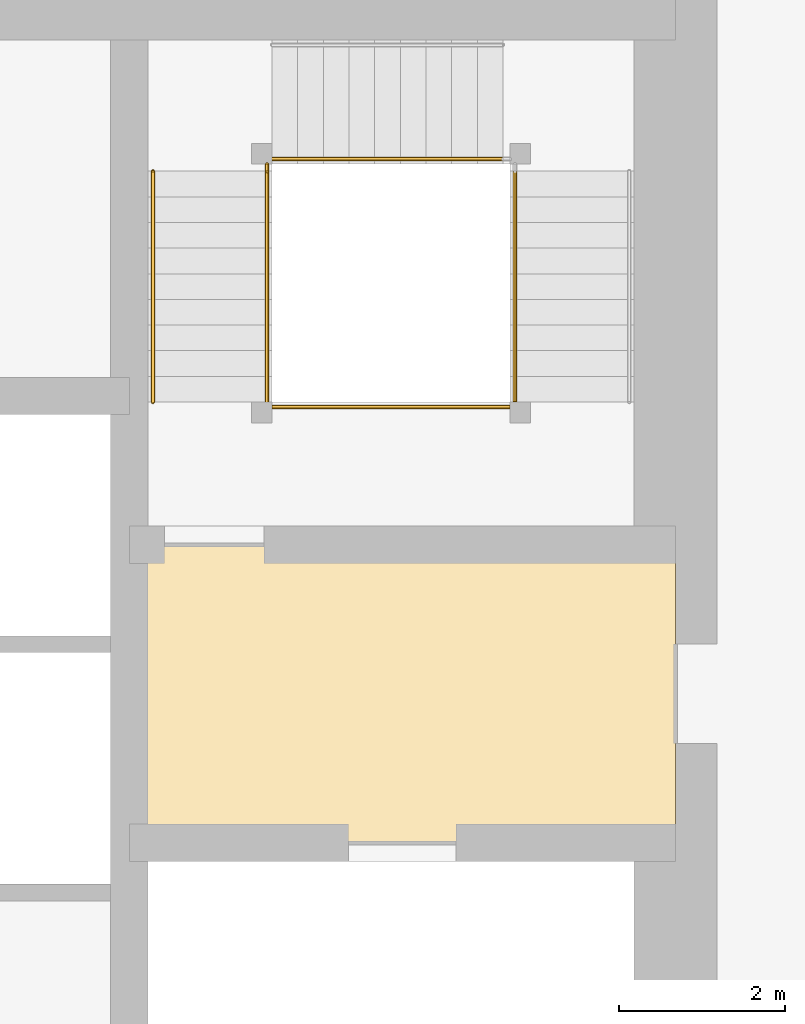
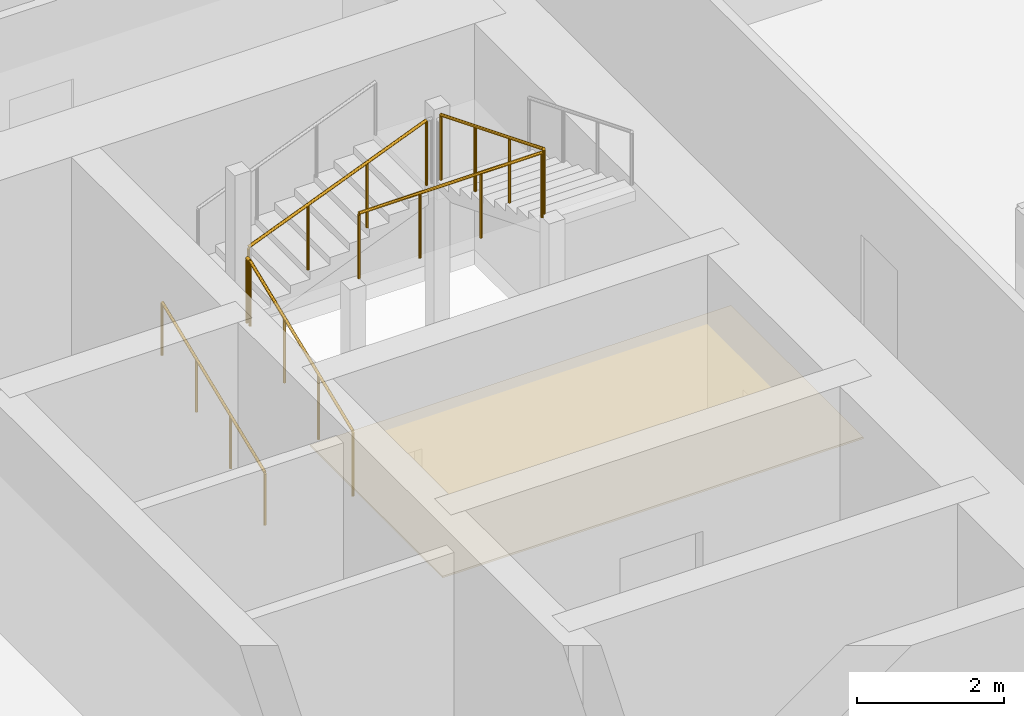
# One storey, part 36 of 39: 6 railings, 1 covering.
"""IFC4 building model written with IfcOpenShell, lengths in metres."""

import ifcopenshell
import ifcopenshell.guid

model = None  # the IFC model being written
_history = None  # IfcOwnerHistory: only IFC2X3 demands one
_inside = {}  # id of a spatial element -> (the spatial element, [elements in it])
_under = {}  # id of a project, library or spatial element -> (it, [spatial elements below it])
_declared = {}  # id of a project -> (the project, [libraries it declares])
_typed = {}  # id of a type object -> (the type object, [elements of that type])
_made_of = {}  # id of a material, layer set ... -> (it, [elements and type objects made of it])


def new_model(schema):
    """Start an empty IFC model of exactly this schema.

    Asked for "IFC4X3", IfcOpenShell would pick the latest addendum, in which some entities
    have other attributes; the version numbers below select the first issue.
    IFC2X3 requires an IfcOwnerHistory on every rooted entity: one is made here for all.
    """
    global model, _history
    if schema == "IFC4X3":
        model = ifcopenshell.file(schema_version=(4, 3, 0, 0))
    else:
        model = ifcopenshell.file(schema=schema)
    _inside.clear()
    _under.clear()
    _declared.clear()
    _typed.clear()
    _made_of.clear()
    _history = None
    if model.schema == "IFC2X3":
        org = make("IfcOrganization", Name="unknown")
        user = make(
            "IfcPersonAndOrganization",
            ThePerson=make("IfcPerson", FamilyName="unknown"),
            TheOrganization=org,
        )
        app = make(
            "IfcApplication",
            ApplicationDeveloper=org,
            Version="unknown",
            ApplicationFullName="unknown",
            ApplicationIdentifier="unknown",
        )
        _history = make(
            "IfcOwnerHistory",
            OwningUser=user,
            OwningApplication=app,
            ChangeAction="ADDED",
            CreationDate=0,
        )
    return model


def make(cls, **values):
    """One entity of the class cls with the attributes given. An attribute that is None is left unset."""
    return model.create_entity(
        cls, **{name: value for name, value in values.items() if value is not None}
    )


def rooted(cls, **values):
    """An entity with a GlobalId (a new one), such as an element, a storey or a relation."""
    return make(cls, GlobalId=ifcopenshell.guid.new(), OwnerHistory=_history, **values)


def si_unit(unit_type, name, prefix=None):
    """IfcSIUnit, for example si_unit("LENGTHUNIT", "METRE", prefix="MILLI")."""
    return make("IfcSIUnit", UnitType=unit_type, Prefix=prefix, Name=name)


def assignment(units):
    """IfcUnitAssignment: the units of a project."""
    return None if units is None else make("IfcUnitAssignment", Units=units)


def point(xyz):
    """IfcCartesianPoint."""
    return None if xyz is None else make("IfcCartesianPoint", Coordinates=xyz)


def direction(xyz):
    """IfcDirection."""
    return None if xyz is None else make("IfcDirection", DirectionRatios=xyz)


def frame(location, z_axis=None, x_axis=None):
    """IfcAxis2Placement3D, a coordinate frame: its origin and axes. An axis left out is left unset."""
    return make(
        "IfcAxis2Placement3D",
        Location=point(location),
        Axis=direction(z_axis),
        RefDirection=direction(x_axis),
    )


def frame_2d(location, x_axis=None):
    """IfcAxis2Placement2D, a coordinate frame in the plane: its origin and x axis."""
    return make(
        "IfcAxis2Placement2D", Location=point(location), RefDirection=direction(x_axis)
    )


def origin():
    """The frame at (0, 0, 0) with its axes left unset."""
    return frame((0.0, 0.0, 0.0))


def origin_2d():
    """The frame at (0, 0) in the plane with its x axis left unset."""
    return frame_2d((0.0, 0.0))


def place(relative_to, where):
    """IfcLocalPlacement: puts the frame where relative to a parent placement (None: the world)."""
    return make(
        "IfcLocalPlacement", PlacementRelTo=relative_to, RelativePlacement=where
    )


def context(
    kind, dimensions, precision=None, world=None, true_north=None, identifier=None
):
    """IfcGeometricRepresentationContext, for example the 3D "Model" context."""
    return make(
        "IfcGeometricRepresentationContext",
        ContextIdentifier=identifier,
        ContextType=kind,
        CoordinateSpaceDimension=dimensions,
        Precision=precision,
        WorldCoordinateSystem=world,
        TrueNorth=true_north,
    )


def subcontext(parent, identifier, kind, view, scale=None):
    """IfcGeometricRepresentationSubContext, for example "Body" below "Model"."""
    return make(
        "IfcGeometricRepresentationSubContext",
        ContextIdentifier=identifier,
        ContextType=kind,
        ParentContext=parent,
        TargetScale=scale,
        TargetView=view,
    )


def project(units=None, contexts=None):
    """IfcProject with its units and contexts."""
    return rooted(
        "IfcProject",
        Name="project",
        RepresentationContexts=contexts,
        UnitsInContext=assignment(units),
    )


def spatial(cls, under=None, at=None, **own):
    """A site, building, storey or space (cls), placed at a placement, below another one or the project."""
    s = rooted(cls, ObjectPlacement=at, **own)
    if under is not None:
        _under.setdefault(under.id(), (under, []))[1].append(s)
    return s


def polyline(points):
    """IfcPolyline through the points."""
    return make("IfcPolyline", Points=[point(p) for p in points])


def profile(cls, at=None, kind="AREA", **sizes):
    """A parametric profile (cls). Its sizes go by their IFC names, for example OverallWidth=200.0."""
    return make(cls, ProfileType=kind, Position=at, **sizes)


def circle(**sizes):
    """IfcCircleProfileDef."""
    return profile("IfcCircleProfileDef", **sizes)


def outline(outer, holes=None, kind="AREA"):
    """IfcArbitraryClosedProfileDef: a profile drawn as a closed curve; with holes, ...WithVoids."""
    if holes is None:
        return make("IfcArbitraryClosedProfileDef", ProfileType=kind, OuterCurve=outer)
    return make(
        "IfcArbitraryProfileDefWithVoids",
        ProfileType=kind,
        OuterCurve=outer,
        InnerCurves=holes,
    )


def extrude(swept, where, along, depth):
    """IfcExtrudedAreaSolid: the profile swept, set in the frame where, extruded along a direction by depth."""
    return make(
        "IfcExtrudedAreaSolid",
        SweptArea=swept,
        Position=where,
        ExtrudedDirection=direction(along),
        Depth=depth,
    )


def shape(context_of_items, identifier, shape_type, items):
    """IfcShapeRepresentation: the items that make up one representation, for example the "Body"."""
    return make(
        "IfcShapeRepresentation",
        ContextOfItems=context_of_items,
        RepresentationIdentifier=identifier,
        RepresentationType=shape_type,
        Items=items,
    )


def material(Name=None, Category=None):
    """IfcMaterial."""
    return make("IfcMaterial", Name=Name, Category=Category)


def layer(
    of_material, thickness, ventilated=None, Name=None, Category=None, Priority=None
):
    """IfcMaterialLayer: one layer of a wall or slab, of a material (None: an air gap)."""
    return make(
        "IfcMaterialLayer",
        Material=of_material,
        LayerThickness=thickness,
        IsVentilated=ventilated,
        Name=Name,
        Category=Category,
        Priority=Priority,
    )


def layer_set(layers, Name=None):
    """IfcMaterialLayerSet."""
    return make("IfcMaterialLayerSet", MaterialLayers=layers, LayerSetName=Name)


def made_of(thing, what):
    """Note that an element or type object is made of a material, layer set ...; save() writes the relation."""
    if what is not None:
        _made_of.setdefault(what.id(), (what, []))[1].append(thing)
    return thing


def type_object(cls, material=None, **own):
    """A type object (cls), such as IfcWallType, which elements share."""
    return made_of(rooted(cls, **own), material)


def element(
    cls,
    number,
    at=None,
    inside=None,
    cuts=None,
    type_object=None,
    material=None,
    context=None,
    identifier="Body",
    shape_type=None,
    held_by="IfcProductDefinitionShape",
    body=None,
    shapes=None,
    **own,
):
    """One element of the class cls, such as IfcWall. Its Tag is "e" and its number.

    at: its placement. inside: the storey or other place that contains it. cuts: it is an
    opening in that element (IfcRelVoidsElement). A single representation is given by context,
    identifier, shape_type and body (its items); several are given by shapes. held_by: the class
    of the entity that holds the representations. save() writes the other relations.
    """
    e = rooted(cls, Tag="e%d" % number, ObjectPlacement=at, **own)
    if body is not None:
        shapes = [shape(context, identifier, shape_type, body)]
    if shapes is not None:
        e.Representation = make(held_by, Representations=shapes)
    if inside is not None:
        _inside.setdefault(inside.id(), (inside, []))[1].append(e)
    if cuts is not None:
        rooted(
            "IfcRelVoidsElement", RelatingBuildingElement=cuts, RelatedOpeningElement=e
        )
    if type_object is not None:
        _typed.setdefault(type_object.id(), (type_object, []))[1].append(e)
    return made_of(e, material)


def aggregate(whole, parts):
    """IfcRelAggregates: a whole, such as a stair, and the parts it consists of."""
    return rooted("IfcRelAggregates", RelatingObject=whole, RelatedObjects=parts)


def save(model, path):
    """Write the relations noted so far, then the file.

    IfcRelAggregates (storeys below a building ...), IfcRelContainedInSpatialStructure (elements
    in a storey), IfcRelDefinesByType, IfcRelAssociatesMaterial and IfcRelDeclares: one each for
    every whole, place, type object, material and project.
    """
    for whole, parts in _under.values():
        aggregate(whole, parts)
    for where, things in _inside.values():
        rooted(
            "IfcRelContainedInSpatialStructure",
            RelatedElements=things,
            RelatingStructure=where,
        )
    for kind, things in _typed.values():
        rooted("IfcRelDefinesByType", RelatedObjects=things, RelatingType=kind)
    for what, things in _made_of.values():
        rooted("IfcRelAssociatesMaterial", RelatedObjects=things, RelatingMaterial=what)
    for by, libraries in _declared.values():
        rooted("IfcRelDeclares", RelatingContext=by, RelatedDefinitions=libraries)
    model.write(path)


model = new_model("IFC4")

# Units and contexts
model_context = context("Model", 3, precision=1e-05, world=origin(), true_north=direction((0.0, 1.0)))
body_context = subcontext(model_context, "Body", "Model", "MODEL_VIEW")
ifc_project = project(units=[si_unit("LENGTHUNIT", "METRE"), si_unit("AREAUNIT", "SQUARE_METRE"), si_unit("VOLUMEUNIT", "CUBIC_METRE"), si_unit("PLANEANGLEUNIT", "RADIAN"), si_unit("MASSUNIT", "GRAM", prefix="KILO")], contexts=[model_context])

# Site, building, storey
site_placement = place(None, origin())
site = spatial("IfcSite", under=ifc_project, at=site_placement, CompositionType="ELEMENT")
building_placement = place(site_placement, origin())
building = spatial("IfcBuilding", under=site, at=building_placement, Name="Rekha Terrace Tower", CompositionType="ELEMENT")
storey_placement = place(building_placement, frame((0.0, 0.0, 217.699951171875)))
storey = spatial("IfcBuildingStorey", under=building, at=storey_placement, Name="L55", CompositionType="ELEMENT", Elevation=217.699951171875)

# Covering
ifc_material_1 = material(Name="Powder-coated aluminium pan", Category="aluminium")
ifc_layer = layer(ifc_material_1, 0.030029296875)
ifc_layer_set = layer_set([ifc_layer], Name="Powder-coated aluminium pan")
covering_type = type_object("IfcCoveringType", Name="CL3 300x1200 metal pan ceiling", PredefinedType="CEILING", material=ifc_layer_set)
covering_placement = place(storey_placement, frame((0.0, 0.0, 2.570068359375)))
element("IfcCovering", 1, at=covering_placement, inside=storey, type_object=covering_type, Name="Ceiling L55-FLB2", PredefinedType="CEILING", context=body_context, shape_type="SweptSolid", body=[
    extrude(outline(polyline([(50.39990234375, 39.60009765625), (43.800048828125, 39.60009765625), (43.800048828125, 36.0), (50.39990234375, 36.0), (50.39990234375, 39.60009765625)])), origin(), (0.0, 0.0, 1.0), 0.030029296875),
])

# Railings
ifc_material_2 = material(Name="Stainless steel balustrade", Category="steel")
railing_type_1 = type_object("IfcRailingType", Name="GR1 1100 stair guard", PredefinedType="GUARDRAIL", material=ifc_material_2)
railing_1_placement = place(storey_placement, frame((45.465087890625, 41.324951171875, 0.125)))
element("IfcRailing", 2, at=railing_1_placement, inside=storey, type_object=railing_type_1, Name="Guard ST2 L55 flight 1", PredefinedType="GUARDRAIL", context=body_context, shape_type="SweptSolid", body=[
    extrude(circle(Radius=0.02392578125, at=origin_2d()), frame((0.0, 0.0, 1.076171875), z_axis=(0.0, 0.927443287984, 0.373963831907), x_axis=(-1.0, 0.0, 0.0)), (0.0, 0.0, 1.0), 3.00830078125),
    extrude(circle(Radius=0.02099609375, at=origin_2d()), origin(), (0.0, 0.0, 1.0), 1.052001953125),
    extrude(circle(Radius=0.02099609375, at=origin_2d()), frame((0.0, 0.929931640625, 0.375)), (0.0, 0.0, 1.0), 1.052001953125),
    extrude(circle(Radius=0.02099609375, at=origin_2d()), frame((0.0, 1.860107421875, 0.75)), (0.0, 0.0, 1.0), 1.052001953125),
    extrude(circle(Radius=0.02099609375, at=origin_2d()), frame((0.0, 2.7900390625, 1.125)), (0.0, 0.0, 1.0), 1.052001953125),
])
railing_2_placement = place(storey_placement, frame((45.52490234375, 44.260009765625, 1.375)))
element("IfcRailing", 3, at=railing_2_placement, inside=storey, type_object=railing_type_1, Name="Guard ST2 L55 flight 2", PredefinedType="GUARDRAIL", context=body_context, shape_type="SweptSolid", body=[
    extrude(circle(Radius=0.02392578125, at=origin_2d()), frame((0.0, 0.0, 1.076171875), z_axis=(0.927443287984, 0.0, 0.373963831907), x_axis=(0.0, 1.0, 0.0)), (0.0, 0.0, 1.0), 3.00830078125),
    extrude(circle(Radius=0.02099609375, at=origin_2d()), origin(), (0.0, 0.0, 1.0), 1.052001953125),
    extrude(circle(Radius=0.02099609375, at=origin_2d()), frame((0.929931640625, 0.0, 0.375)), (0.0, 0.0, 1.0), 1.052001953125),
    extrude(circle(Radius=0.02099609375, at=origin_2d()), frame((1.860107421875, 0.0, 0.75)), (0.0, 0.0, 1.0), 1.052001953125),
    extrude(circle(Radius=0.02099609375, at=origin_2d()), frame((2.7900390625, 0.0, 1.125)), (0.0, 0.0, 1.0), 1.052001953125),
])
railing_3_placement = place(storey_placement, frame((48.4599609375, 44.114990234375, 2.625)))
element("IfcRailing", 4, at=railing_3_placement, inside=storey, type_object=railing_type_1, Name="Guard ST2 L55 flight 3", PredefinedType="GUARDRAIL", context=body_context, shape_type="SweptSolid", body=[
    extrude(circle(Radius=0.02392578125, at=origin_2d()), frame((0.0, 0.0, 1.076171875), z_axis=(0.0, -0.927443287984, 0.373963831907), x_axis=(1.0, 0.0, 0.0)), (0.0, 0.0, 1.0), 3.00830078125),
    extrude(circle(Radius=0.02099609375, at=origin_2d()), origin(), (0.0, 0.0, 1.0), 1.052001953125),
    extrude(circle(Radius=0.02099609375, at=origin_2d()), frame((0.0, -0.929931640625, 0.375)), (0.0, 0.0, 1.0), 1.052001953125),
    extrude(circle(Radius=0.02099609375, at=origin_2d()), frame((0.0, -1.860107421875, 0.75)), (0.0, 0.0, 1.0), 1.052001953125),
    extrude(circle(Radius=0.02099609375, at=origin_2d()), frame((0.0, -2.7900390625, 1.125)), (0.0, 0.0, 1.0), 1.052001953125),
])
railing_4_placement = place(storey_placement, frame((45.465087890625, 44.114990234375, 1.25)))
element("IfcRailing", 5, at=railing_4_placement, inside=storey, type_object=railing_type_1, Name="Guard ST2 L55 landing 1", PredefinedType="GUARDRAIL", context=body_context, shape_type="SweptSolid", body=[
    extrude(circle(Radius=0.02392578125, at=origin_2d()), frame((0.0, 0.0, 1.076171875), z_axis=(0.0, 1.0, 0.0), x_axis=(-1.0, 0.0, 0.0)), (0.0, 0.0, 1.0), 0.0849609375),
    extrude(circle(Radius=0.02099609375, at=origin_2d()), origin(), (0.0, 0.0, 1.0), 1.052001953125),
    extrude(circle(Radius=0.02099609375, at=origin_2d()), frame((0.0, 0.0849609375, 0.0)), (0.0, 0.0, 1.0), 1.052001953125),
])
railing_5_placement = place(storey_placement, frame((45.52490234375, 41.264892578125, 3.75)))
element("IfcRailing", 6, at=railing_5_placement, inside=storey, type_object=railing_type_1, Name="Guard ST2 L55 landing 4", PredefinedType="GUARDRAIL", context=body_context, shape_type="SweptSolid", body=[
    extrude(circle(Radius=0.02392578125, at=origin_2d()), frame((0.0, 0.0, 1.076171875), z_axis=(1.0, 0.0, 0.0), x_axis=(0.0, 1.0, 0.0)), (0.0, 0.0, 1.0), 2.875),
    extrude(circle(Radius=0.02099609375, at=origin_2d()), origin(), (0.0, 0.0, 1.0), 1.052001953125),
    extrude(circle(Radius=0.02099609375, at=origin_2d()), frame((0.958251953125, 0.0, 0.0)), (0.0, 0.0, 1.0), 1.052001953125),
    extrude(circle(Radius=0.02099609375, at=origin_2d()), frame((1.916748046875, 0.0, 0.0)), (0.0, 0.0, 1.0), 1.052001953125),
    extrude(circle(Radius=0.02099609375, at=origin_2d()), frame((2.875, 0.0, 0.0)), (0.0, 0.0, 1.0), 1.052001953125),
])
ifc_material_3 = material(Name="Stainless steel tube", Category="steel")
railing_type_2 = type_object("IfcRailingType", Name="HR1 900 stair handrail", PredefinedType="HANDRAIL", material=ifc_material_3)
railing_6_placement = place(storey_placement, frame((44.0849609375, 41.324951171875, 0.125)))
element("IfcRailing", 7, at=railing_6_placement, inside=storey, type_object=railing_type_2, Name="Handrail ST2 L55 flight 1", PredefinedType="HANDRAIL", context=body_context, shape_type="SweptSolid", body=[
    extrude(circle(Radius=0.02392578125, at=origin_2d()), frame((0.0, 0.0, 0.8759765625), z_axis=(0.0, 0.927443287984, 0.373963831907), x_axis=(-1.0, 0.0, 0.0)), (0.0, 0.0, 1.0), 3.00830078125),
    extrude(circle(Radius=0.02099609375, at=origin_2d()), origin(), (0.0, 0.0, 1.0), 0.851806640625),
    extrude(circle(Radius=0.02099609375, at=origin_2d()), frame((0.0, 0.929931640625, 0.375)), (0.0, 0.0, 1.0), 0.851806640625),
    extrude(circle(Radius=0.02099609375, at=origin_2d()), frame((0.0, 1.860107421875, 0.75)), (0.0, 0.0, 1.0), 0.851806640625),
    extrude(circle(Radius=0.02099609375, at=origin_2d()), frame((0.0, 2.7900390625, 1.125)), (0.0, 0.0, 1.0), 0.851806640625),
])

save(model, "model.ifc")
